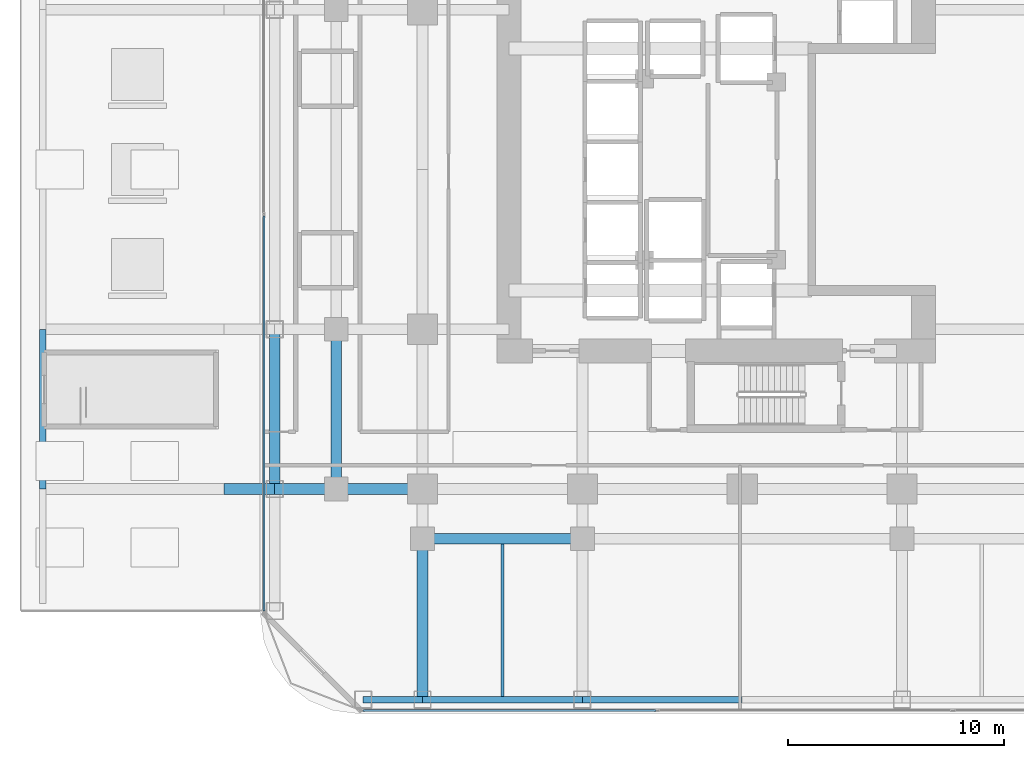
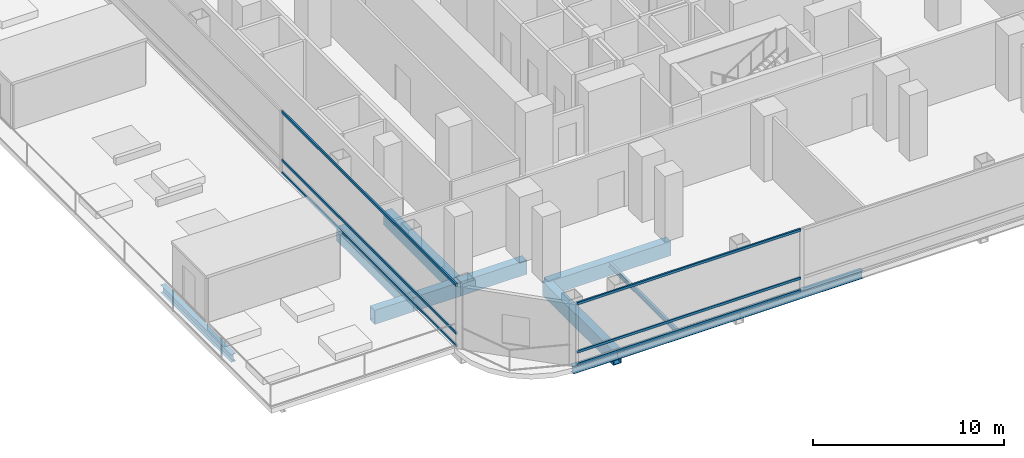
# One storey, part 3 of 29: 12 beams, 6 members, 2 elements without a shape of their own.
"""IFC4 building model written with IfcOpenShell, lengths in metres."""

from ifc_helpers import new_model, si_unit, direction, frame, origin, origin_2d, place, context, subcontext, project, spatial, hollow_rectangle, i_section, extrude, material, layer, layer_set, material_profile, profile_set, type_object, element, aggregate, save


model = new_model("IFC4")

# Units and contexts
model_context = context("Model", 3, precision=1e-05, world=origin(), true_north=direction((0.0, 1.0)))
body_context = subcontext(model_context, "Body", "Model", "MODEL_VIEW")
ifc_project = project(units=[si_unit("LENGTHUNIT", "METRE"), si_unit("AREAUNIT", "SQUARE_METRE"), si_unit("VOLUMEUNIT", "CUBIC_METRE"), si_unit("PLANEANGLEUNIT", "RADIAN"), si_unit("MASSUNIT", "GRAM", prefix="KILO")], contexts=[model_context])

# Site, building, storey
site_placement = place(None, origin())
site = spatial("IfcSite", under=ifc_project, at=site_placement, CompositionType="ELEMENT")
building_placement = place(site_placement, origin())
building = spatial("IfcBuilding", under=site, at=building_placement, Name="Khorvyn Point Tower", CompositionType="ELEMENT")
storey_placement = place(building_placement, frame((0.0, 0.0, 26.39990234375)))
storey = spatial("IfcBuildingStorey", under=building, at=storey_placement, Name="L07", CompositionType="ELEMENT", Elevation=26.39990234375)

# Curtain wall, members
ifc_material_1 = material(Name="Anodised aluminium 6063-T6 and laminated Low-E glass", Category="aluminium")
ifc_layer = layer(ifc_material_1, 0.18994140625)
ifc_layer_set = layer_set([ifc_layer], Name="Stick-Built Finned Residential Curtain Wall CW-SYS-02")
curtain_wall_type = type_object("IfcCurtainWallType", Name="Stick-Built Finned Residential Curtain Wall CW-SYS-02", PredefinedType="NOTDEFINED", material=ifc_layer_set)
curtain_wall_1_placement = place(storey_placement, origin())
curtain_wall_1 = element("IfcCurtainWall", 1, at=curtain_wall_1_placement, inside=storey, type_object=curtain_wall_type, Name="Curtain Wall", PredefinedType="NOTDEFINED")
ifc_material_2 = material(Name="Anodised aluminium 6063-T6", Category="aluminium")
ifc_material_profile_1 = material_profile(ifc_material_2, hollow_rectangle(XDim=0.10009765625, YDim=0.159912109375, WallThickness=0.00439453125, at=origin_2d()))
ifc_profile_set_1 = profile_set([ifc_material_profile_1], Name="Anodised aluminium 6063-T6 ALU-TRN-100x160")
member_type = type_object("IfcMemberType", Name="Anodised Aluminium 6063-T6 Transom ALU-TRN-100x160", PredefinedType="USERDEFINED", material=ifc_profile_set_1)
member_1_placement = place(storey_placement, frame((-4.0, -25.050048828125, 0.050048828125), z_axis=(-1.0, 0.0, 0.0), x_axis=(0.0, -1.0, 0.0)))
member_1 = element("IfcMember", 2, at=member_1_placement, type_object=member_type, Name="Transom", ObjectType="TRANSOM", PredefinedType="USERDEFINED", context=body_context, shape_type="SweptSolid", body=[
    extrude(hollow_rectangle(XDim=0.10009765625, YDim=0.159912109375, WallThickness=0.00439453125, at=origin_2d()), origin(), (0.0, 0.0, 1.0), 13.550048828125),
])
member_2_placement = place(storey_placement, frame((-4.0, -25.050048828125, 0.85009765625), z_axis=(-1.0, 0.0, 0.0), x_axis=(0.0, -1.0, 0.0)))
member_2 = element("IfcMember", 3, at=member_2_placement, type_object=member_type, Name="Transom", ObjectType="TRANSOM", PredefinedType="USERDEFINED", context=body_context, shape_type="SweptSolid", body=[
    extrude(hollow_rectangle(XDim=0.10009765625, YDim=0.159912109375, WallThickness=0.00439453125, at=origin_2d()), origin(), (0.0, 0.0, 1.0), 13.550048828125),
])
member_3_placement = place(storey_placement, frame((-4.0, -25.050048828125, 3.93017578125), z_axis=(-1.0, 0.0, 0.0), x_axis=(0.0, -1.0, 0.0)))
member_3 = element("IfcMember", 4, at=member_3_placement, type_object=member_type, Name="Transom", ObjectType="TRANSOM", PredefinedType="USERDEFINED", context=body_context, shape_type="SweptSolid", body=[
    extrude(hollow_rectangle(XDim=0.10009765625, YDim=0.159912109375, WallThickness=0.00439453125, at=origin_2d()), origin(), (0.0, 0.0, 1.0), 13.550048828125),
])
aggregate(curtain_wall_1, [member_1, member_2, member_3])

curtain_wall_2_placement = place(storey_placement, origin())
curtain_wall_2 = element("IfcCurtainWall", 5, at=curtain_wall_2_placement, inside=storey, type_object=curtain_wall_type, Name="Curtain Wall", PredefinedType="NOTDEFINED")
member_4_placement = place(storey_placement, frame((-22.14990234375, -20.449951171875, 0.050048828125), z_axis=(0.0, 1.0, 0.0), x_axis=(-1.0, 0.0, 0.0)))
member_4 = element("IfcMember", 6, at=member_4_placement, type_object=member_type, Name="Transom", ObjectType="TRANSOM", PredefinedType="USERDEFINED", context=body_context, shape_type="SweptSolid", body=[
    extrude(hollow_rectangle(XDim=0.10009765625, YDim=0.159912109375, WallThickness=0.00439453125, at=origin_2d()), origin(), (0.0, 0.0, 1.0), 18.294921875),
])
member_5_placement = place(storey_placement, frame((-22.14990234375, -20.449951171875, 0.85009765625), z_axis=(0.0, 1.0, 0.0), x_axis=(-1.0, 0.0, 0.0)))
member_5 = element("IfcMember", 7, at=member_5_placement, type_object=member_type, Name="Transom", ObjectType="TRANSOM", PredefinedType="USERDEFINED", context=body_context, shape_type="SweptSolid", body=[
    extrude(hollow_rectangle(XDim=0.10009765625, YDim=0.159912109375, WallThickness=0.00439453125, at=origin_2d()), origin(), (0.0, 0.0, 1.0), 18.294921875),
])
member_6_placement = place(storey_placement, frame((-22.14990234375, -20.449951171875, 3.93017578125), z_axis=(0.0, 1.0, 0.0), x_axis=(-1.0, 0.0, 0.0)))
member_6 = element("IfcMember", 8, at=member_6_placement, type_object=member_type, Name="Transom", ObjectType="TRANSOM", PredefinedType="USERDEFINED", context=body_context, shape_type="SweptSolid", body=[
    extrude(hollow_rectangle(XDim=0.10009765625, YDim=0.159912109375, WallThickness=0.00439453125, at=origin_2d()), origin(), (0.0, 0.0, 1.0), 18.294921875),
])
aggregate(curtain_wall_2, [member_4, member_5, member_6])

# Beams
ifc_material_3 = material(Name="Steel S355", Category="steel")
ifc_material_profile_2 = material_profile(ifc_material_3, i_section(OverallWidth=0.14990234375, OverallDepth=0.300048828125, WebThickness=0.006591796875, FlangeThickness=0.009033203125, at=origin_2d()))
ifc_profile_set_2 = profile_set([ifc_material_profile_2], Name="Steel S355 H300x150x6.5x9")
beam_type_1 = type_object("IfcBeamType", Name="Steel S355 Joist H300x150x6.5x9", PredefinedType="JOIST", material=ifc_profile_set_2)
beam_1_placement = place(storey_placement, frame((-11.10009765625, -24.39990234375, -0.469970703125), z_axis=(0.0, 1.0, 0.0), x_axis=(-1.0, 0.0, 0.0)))
element("IfcBeam", 9, at=beam_1_placement, inside=storey, type_object=beam_type_1, Name="Beam", PredefinedType="JOIST", context=body_context, shape_type="SweptSolid", body=[
    extrude(i_section(OverallWidth=0.14990234375, OverallDepth=0.300048828125, WebThickness=0.006591796875, FlangeThickness=0.009033203125, at=origin_2d()), origin(), (0.0, 0.0, 1.0), 7.0498046875),
])
ifc_material_profile_3 = material_profile(ifc_material_3, i_section(OverallWidth=0.300048828125, OverallDepth=0.488037109375, WebThickness=0.010986328125, FlangeThickness=0.01806640625, at=origin_2d()))
ifc_profile_set_3 = profile_set([ifc_material_profile_3], Name="Steel S355 H488x300x11x18")
beam_type_2 = type_object("IfcBeamType", Name="Steel S355 Spandrel H488x300x11x18", PredefinedType="SPANDREL", material=ifc_profile_set_3)
beam_2_placement = place(storey_placement, frame((-32.39990234375, -14.800048828125, -0.56396484375), z_axis=(0.0, 1.0, 0.0), x_axis=(-1.0, 0.0, 0.0)))
element("IfcBeam", 10, at=beam_2_placement, inside=storey, type_object=beam_type_2, Name="Beam", PredefinedType="SPANDREL", context=body_context, shape_type="SweptSolid", body=[
    extrude(i_section(OverallWidth=0.300048828125, OverallDepth=0.488037109375, WebThickness=0.010986328125, FlangeThickness=0.01806640625, at=origin_2d()), origin(), (0.0, 0.0, 1.0), 7.400146484375),
])
beam_3_placement = place(storey_placement, frame((-17.550048828125, -24.550048828125, -0.56396484375), z_axis=(1.0, 0.0, 0.0), x_axis=(0.0, 1.0, 0.0)))
element("IfcBeam", 11, at=beam_3_placement, inside=storey, type_object=beam_type_2, Name="Beam", PredefinedType="SPANDREL", context=body_context, shape_type="SweptSolid", body=[
    extrude(i_section(OverallWidth=0.300048828125, OverallDepth=0.488037109375, WebThickness=0.010986328125, FlangeThickness=0.01806640625, at=origin_2d()), origin(), (0.0, 0.0, 1.0), 2.75),
])
beam_4_placement = place(storey_placement, frame((-14.800048828125, -24.550048828125, -0.56396484375), z_axis=(1.0, 0.0, 0.0), x_axis=(0.0, 1.0, 0.0)))
element("IfcBeam", 12, at=beam_4_placement, inside=storey, type_object=beam_type_2, Name="Beam", PredefinedType="SPANDREL", context=body_context, shape_type="SweptSolid", body=[
    extrude(i_section(OverallWidth=0.300048828125, OverallDepth=0.488037109375, WebThickness=0.010986328125, FlangeThickness=0.01806640625, at=origin_2d()), origin(), (0.0, 0.0, 1.0), 7.400146484375),
])
beam_5_placement = place(storey_placement, frame((-7.39990234375, -24.550048828125, -0.56396484375), z_axis=(1.0, 0.0, 0.0), x_axis=(0.0, 1.0, 0.0)))
element("IfcBeam", 13, at=beam_5_placement, inside=storey, type_object=beam_type_2, Name="Beam", PredefinedType="SPANDREL", context=body_context, shape_type="SweptSolid", body=[
    extrude(i_section(OverallWidth=0.300048828125, OverallDepth=0.488037109375, WebThickness=0.010986328125, FlangeThickness=0.01806640625, at=origin_2d()), origin(), (0.0, 0.0, 1.0), 7.39990234375),
])
ifc_material_4 = material(Name="Steel S450", Category="steel")
ifc_material_profile_4 = material_profile(ifc_material_4, hollow_rectangle(XDim=0.5, YDim=0.89990234375, WallThickness=0.0400390625, at=origin_2d()))
ifc_profile_set_4 = profile_set([ifc_material_profile_4], Name="Steel S450 BOX900x500x40")
beam_type_3 = type_object("IfcBeamType", Name="Steel S450 Beam BOX900x500x40", PredefinedType="BEAM", material=ifc_profile_set_4)
beam_6_placement = place(storey_placement, frame((-24.0, -14.800048828125, -0.77001953125), z_axis=(1.0, 0.0, 0.0), x_axis=(0.0, 1.0, 0.0)))
element("IfcBeam", 14, at=beam_6_placement, inside=storey, type_object=beam_type_3, Name="Beam", PredefinedType="BEAM", context=body_context, shape_type="SweptSolid", body=[
    extrude(hollow_rectangle(XDim=0.5, YDim=0.89990234375, WallThickness=0.0400390625, at=origin_2d()), origin(), (0.0, 0.0, 1.0), 2.35009765625),
])
beam_7_placement = place(storey_placement, frame((-21.64990234375, -14.800048828125, -0.77001953125), z_axis=(0.0, 1.0, 0.0), x_axis=(-1.0, 0.0, 0.0)))
element("IfcBeam", 15, at=beam_7_placement, inside=storey, type_object=beam_type_3, Name="Beam", PredefinedType="BEAM", context=body_context, shape_type="SweptSolid", body=[
    extrude(hollow_rectangle(XDim=0.5, YDim=0.89990234375, WallThickness=0.0400390625, at=origin_2d()), origin(), (0.0, 0.0, 1.0), 7.400146484375),
])
beam_8_placement = place(storey_placement, frame((-21.64990234375, -14.800048828125, -0.77001953125), z_axis=(1.0, 0.0, 0.0), x_axis=(0.0, 1.0, 0.0)))
element("IfcBeam", 16, at=beam_8_placement, inside=storey, type_object=beam_type_3, Name="L07 Radial Transfer Girder", PredefinedType="BEAM", context=body_context, shape_type="SweptSolid", body=[
    extrude(hollow_rectangle(XDim=0.5, YDim=0.89990234375, WallThickness=0.0400390625, at=origin_2d()), origin(), (0.0, 0.0, 1.0), 2.849853515625),
])
beam_9_placement = place(storey_placement, frame((-18.800048828125, -14.800048828125, -0.77001953125), z_axis=(1.0, 0.0, 0.0), x_axis=(0.0, 1.0, 0.0)))
element("IfcBeam", 17, at=beam_9_placement, inside=storey, type_object=beam_type_3, Name="L07 Radial Transfer Girder", PredefinedType="BEAM", context=body_context, shape_type="SweptSolid", body=[
    extrude(hollow_rectangle(XDim=0.5, YDim=0.89990234375, WallThickness=0.0400390625, at=origin_2d()), origin(), (0.0, 0.0, 1.0), 4.0),
])
beam_10_placement = place(storey_placement, frame((-14.800048828125, -17.10009765625, -0.77001953125), z_axis=(1.0, 0.0, 0.0), x_axis=(0.0, 1.0, 0.0)))
element("IfcBeam", 18, at=beam_10_placement, inside=storey, type_object=beam_type_3, Name="Beam", PredefinedType="BEAM", context=body_context, shape_type="SweptSolid", body=[
    extrude(hollow_rectangle(XDim=0.5, YDim=0.89990234375, WallThickness=0.0400390625, at=origin_2d()), origin(), (0.0, 0.0, 1.0), 7.400146484375),
])
beam_11_placement = place(storey_placement, frame((-14.800048828125, -24.550048828125, -0.77001953125), z_axis=(0.0, 1.0, 0.0), x_axis=(-1.0, 0.0, 0.0)))
element("IfcBeam", 19, at=beam_11_placement, inside=storey, type_object=beam_type_3, Name="L07 Radial Transfer Girder", PredefinedType="BEAM", context=body_context, shape_type="SweptSolid", body=[
    extrude(hollow_rectangle(XDim=0.5, YDim=0.89990234375, WallThickness=0.0400390625, at=origin_2d()), origin(), (0.0, 0.0, 1.0), 7.449951171875),
])
beam_12_placement = place(storey_placement, frame((-18.800048828125, -14.800048828125, -0.77001953125), z_axis=(0.0, 1.0, 0.0), x_axis=(-1.0, 0.0, 0.0)))
element("IfcBeam", 20, at=beam_12_placement, inside=storey, type_object=beam_type_3, Name="Beam", PredefinedType="BEAM", context=body_context, shape_type="SweptSolid", body=[
    extrude(hollow_rectangle(XDim=0.5, YDim=0.89990234375, WallThickness=0.0400390625, at=origin_2d()), origin(), (0.0, 0.0, 1.0), 7.400146484375),
])

save(model, "model.ifc")
